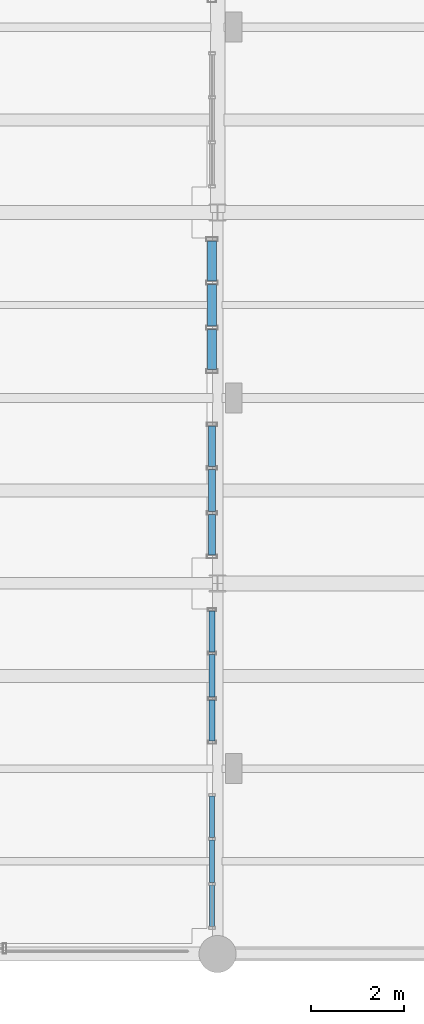
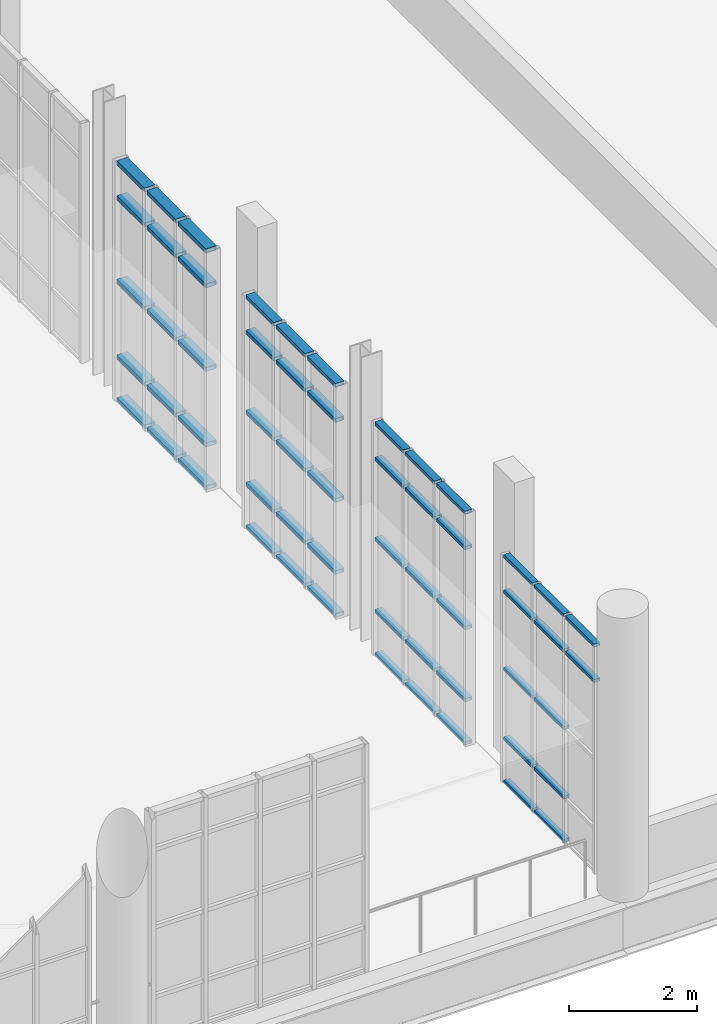
# One storey, part 99 of 142: 57 members, 4 elements without a shape of their own.
"""IFC4 building model written with IfcOpenShell, lengths in metres."""

from ifc_helpers import new_model, si_unit, direction, frame, origin, origin_2d, place, context, subcontext, project, spatial, hollow_rectangle, extrude, material, layer, layer_set, material_profile, profile_set, type_object, element, aggregate, save


model = new_model("IFC4")

# Units and contexts
model_context = context("Model", 3, precision=1e-05, world=origin(), true_north=direction((0.0, 1.0)))
body_context = subcontext(model_context, "Body", "Model", "MODEL_VIEW")
ifc_project = project(units=[si_unit("LENGTHUNIT", "METRE"), si_unit("AREAUNIT", "SQUARE_METRE"), si_unit("VOLUMEUNIT", "CUBIC_METRE"), si_unit("PLANEANGLEUNIT", "RADIAN"), si_unit("MASSUNIT", "GRAM", prefix="KILO"), si_unit("THERMODYNAMICTEMPERATUREUNIT", "KELVIN"), si_unit("POWERUNIT", "WATT")], contexts=[model_context])

# Site, building, storey
site_placement = place(None, origin())
site = spatial("IfcSite", under=ifc_project, at=site_placement, CompositionType="ELEMENT")
building_placement = place(site_placement, origin())
building = spatial("IfcBuilding", under=site, at=building_placement, Name="Zelmaris Science Centre", CompositionType="ELEMENT")
storey_placement = place(building_placement, frame((0.0, 0.0, 5.39990234375)))
storey = spatial("IfcBuildingStorey", under=building, at=storey_placement, Name="L01", CompositionType="ELEMENT", Elevation=5.39990234375)

# Curtain wall, members
ifc_material = material(Name="Anodised architectural aluminium 6063-T6", Category="aluminium")
ifc_layer_1 = layer(ifc_material, 0.219970703125, Name="Anodised architectural aluminium 6063-T6")
ifc_layer_set_1 = layer_set([ifc_layer_1], Name="Anodised architectural aluminium 6063-T6")
curtain_wall_type_1 = type_object("IfcCurtainWallType", Name="Curtain Wall CW-04", PredefinedType="USERDEFINED", material=ifc_layer_set_1)
curtain_wall_1_placement = place(storey_placement, origin())
curtain_wall_1 = element("IfcCurtainWall", 1, at=curtain_wall_1_placement, inside=storey, type_object=curtain_wall_type_1, Name="L01 Unitised curtain wall 160", ObjectType="GLAZED CURTAIN WALL", PredefinedType="USERDEFINED")
ifc_material_profile_1 = material_profile(ifc_material, hollow_rectangle(XDim=0.06005859375, YDim=0.110107421875, WallThickness=0.0029296875, at=origin_2d()), Name="ALU-TRN-60X110")
ifc_profile_set_1 = profile_set([ifc_material_profile_1], Name="Anodised architectural aluminium 6063-T6")
member_type_1 = type_object("IfcMemberType", Name="ALU-TRN-60X110", PredefinedType="USERDEFINED", material=ifc_profile_set_1)
member_1_placement = place(storey_placement, frame((143.8798828125, 11.407958984375, 0.010986328125), z_axis=(0.0, -1.0, 0.0), x_axis=(0.0, 0.0, 1.0)))
member_1 = element("IfcMember", 2, at=member_1_placement, type_object=member_type_1, Name="CW-04 transom 1.1", ObjectType="TRANSOM", PredefinedType="USERDEFINED", context=body_context, shape_type="SweptSolid", body=[
    extrude(hollow_rectangle(XDim=0.06005859375, YDim=0.110107421875, WallThickness=0.0029296875, at=origin_2d()), origin(), (0.0, 0.0, 1.0), 0.895263671875),
])
member_2_placement = place(storey_placement, frame((143.8798828125, 11.407958984375, 0.835205078125), z_axis=(0.0, -1.0, 0.0), x_axis=(0.0, 0.0, 1.0)))
member_2 = element("IfcMember", 3, at=member_2_placement, type_object=member_type_1, Name="CW-04 transom 1.2", ObjectType="TRANSOM", PredefinedType="USERDEFINED", context=body_context, shape_type="SweptSolid", body=[
    extrude(hollow_rectangle(XDim=0.06005859375, YDim=0.110107421875, WallThickness=0.0029296875, at=origin_2d()), origin(), (0.0, 0.0, 1.0), 0.895263671875),
])
member_3_placement = place(storey_placement, frame((143.8798828125, 11.407958984375, 2.155029296875), z_axis=(0.0, -1.0, 0.0), x_axis=(0.0, 0.0, 1.0)))
member_3 = element("IfcMember", 4, at=member_3_placement, type_object=member_type_1, Name="CW-04 transom 1.3", ObjectType="TRANSOM", PredefinedType="USERDEFINED", context=body_context, shape_type="SweptSolid", body=[
    extrude(hollow_rectangle(XDim=0.06005859375, YDim=0.110107421875, WallThickness=0.0029296875, at=origin_2d()), origin(), (0.0, 0.0, 1.0), 0.895263671875),
])
member_4_placement = place(storey_placement, frame((143.8798828125, 11.407958984375, 3.625), z_axis=(0.0, -1.0, 0.0), x_axis=(0.0, 0.0, 1.0)))
member_4 = element("IfcMember", 5, at=member_4_placement, type_object=member_type_1, Name="CW-04 transom 1.4", ObjectType="TRANSOM", PredefinedType="USERDEFINED", context=body_context, shape_type="SweptSolid", body=[
    extrude(hollow_rectangle(XDim=0.06005859375, YDim=0.110107421875, WallThickness=0.0029296875, at=origin_2d()), origin(), (0.0, 0.0, 1.0), 0.895263671875),
])
member_5_placement = place(storey_placement, frame((143.8798828125, 11.407958984375, 4.299072265625), z_axis=(0.0, -1.0, 0.0), x_axis=(0.0, 0.0, 1.0)))
member_5 = element("IfcMember", 6, at=member_5_placement, type_object=member_type_1, Name="CW-04 transom 1.5", ObjectType="TRANSOM", PredefinedType="USERDEFINED", context=body_context, shape_type="SweptSolid", body=[
    extrude(hollow_rectangle(XDim=0.06005859375, YDim=0.110107421875, WallThickness=0.0029296875, at=origin_2d()), origin(), (0.0, 0.0, 1.0), 0.895263671875),
])
member_6_placement = place(storey_placement, frame((143.8798828125, 10.460693359375, 0.010986328125), z_axis=(0.0, -1.0, 0.0), x_axis=(0.0, 0.0, 1.0)))
member_6 = element("IfcMember", 7, at=member_6_placement, type_object=member_type_1, Name="CW-04 transom 2.1", ObjectType="TRANSOM", PredefinedType="USERDEFINED", context=body_context, shape_type="SweptSolid", body=[
    extrude(hollow_rectangle(XDim=0.06005859375, YDim=0.110107421875, WallThickness=0.0029296875, at=origin_2d()), origin(), (0.0, 0.0, 1.0), 0.92138671875),
])
member_7_placement = place(storey_placement, frame((143.8798828125, 10.460693359375, 0.835205078125), z_axis=(0.0, -1.0, 0.0), x_axis=(0.0, 0.0, 1.0)))
member_7 = element("IfcMember", 8, at=member_7_placement, type_object=member_type_1, Name="CW-04 transom 2.2", ObjectType="TRANSOM", PredefinedType="USERDEFINED", context=body_context, shape_type="SweptSolid", body=[
    extrude(hollow_rectangle(XDim=0.06005859375, YDim=0.110107421875, WallThickness=0.0029296875, at=origin_2d()), origin(), (0.0, 0.0, 1.0), 0.92138671875),
])
member_8_placement = place(storey_placement, frame((143.8798828125, 10.460693359375, 2.155029296875), z_axis=(0.0, -1.0, 0.0), x_axis=(0.0, 0.0, 1.0)))
member_8 = element("IfcMember", 9, at=member_8_placement, type_object=member_type_1, Name="CW-04 transom 2.3", ObjectType="TRANSOM", PredefinedType="USERDEFINED", context=body_context, shape_type="SweptSolid", body=[
    extrude(hollow_rectangle(XDim=0.06005859375, YDim=0.110107421875, WallThickness=0.0029296875, at=origin_2d()), origin(), (0.0, 0.0, 1.0), 0.92138671875),
])
member_9_placement = place(storey_placement, frame((143.8798828125, 10.460693359375, 3.625), z_axis=(0.0, -1.0, 0.0), x_axis=(0.0, 0.0, 1.0)))
member_9 = element("IfcMember", 10, at=member_9_placement, type_object=member_type_1, Name="CW-04 transom 2.4", ObjectType="TRANSOM", PredefinedType="USERDEFINED", context=body_context, shape_type="SweptSolid", body=[
    extrude(hollow_rectangle(XDim=0.06005859375, YDim=0.110107421875, WallThickness=0.0029296875, at=origin_2d()), origin(), (0.0, 0.0, 1.0), 0.92138671875),
])
member_10_placement = place(storey_placement, frame((143.8798828125, 10.460693359375, 4.299072265625), z_axis=(0.0, -1.0, 0.0), x_axis=(0.0, 0.0, 1.0)))
member_10 = element("IfcMember", 11, at=member_10_placement, type_object=member_type_1, Name="CW-04 transom 2.5", ObjectType="TRANSOM", PredefinedType="USERDEFINED", context=body_context, shape_type="SweptSolid", body=[
    extrude(hollow_rectangle(XDim=0.06005859375, YDim=0.110107421875, WallThickness=0.0029296875, at=origin_2d()), origin(), (0.0, 0.0, 1.0), 0.92138671875),
])
member_11_placement = place(storey_placement, frame((143.8798828125, 9.4873046875, 3.625), z_axis=(0.0, -1.0, 0.0), x_axis=(0.0, 0.0, 1.0)))
member_11 = element("IfcMember", 12, at=member_11_placement, type_object=member_type_1, Name="CW-04 transom 3.4", ObjectType="TRANSOM", PredefinedType="USERDEFINED", context=body_context, shape_type="SweptSolid", body=[
    extrude(hollow_rectangle(XDim=0.06005859375, YDim=0.110107421875, WallThickness=0.0029296875, at=origin_2d()), origin(), (0.0, 0.0, 1.0), 0.895263671875),
])
member_12_placement = place(storey_placement, frame((143.8798828125, 9.4873046875, 4.299072265625), z_axis=(0.0, -1.0, 0.0), x_axis=(0.0, 0.0, 1.0)))
member_12 = element("IfcMember", 13, at=member_12_placement, type_object=member_type_1, Name="CW-04 transom 3.5", ObjectType="TRANSOM", PredefinedType="USERDEFINED", context=body_context, shape_type="SweptSolid", body=[
    extrude(hollow_rectangle(XDim=0.06005859375, YDim=0.110107421875, WallThickness=0.0029296875, at=origin_2d()), origin(), (0.0, 0.0, 1.0), 0.895263671875),
])
aggregate(curtain_wall_1, [member_1, member_2, member_3, member_4, member_5, member_6, member_7, member_8, member_9, member_10, member_11, member_12])

ifc_layer_2 = layer(ifc_material, 0.2099609375, Name="Anodised architectural aluminium 6063-T6")
ifc_layer_set_2 = layer_set([ifc_layer_2], Name="Anodised architectural aluminium 6063-T6")
curtain_wall_type_2 = type_object("IfcCurtainWallType", Name="Curtain Wall CW-03", PredefinedType="USERDEFINED", material=ifc_layer_set_2)
curtain_wall_2_placement = place(storey_placement, origin())
curtain_wall_2 = element("IfcCurtainWall", 14, at=curtain_wall_2_placement, inside=storey, type_object=curtain_wall_type_2, Name="L01 Unitised curtain wall 159", ObjectType="GLAZED CURTAIN WALL", PredefinedType="USERDEFINED")
ifc_material_profile_2 = material_profile(ifc_material, hollow_rectangle(XDim=0.06494140625, YDim=0.1298828125, WallThickness=0.00341796875, at=origin_2d()), Name="ALU-TRN-65X130")
ifc_profile_set_2 = profile_set([ifc_material_profile_2], Name="Anodised architectural aluminium 6063-T6")
member_type_2 = type_object("IfcMemberType", Name="ALU-TRN-65X130", PredefinedType="USERDEFINED", material=ifc_profile_set_2)
member_13_placement = place(storey_placement, frame((143.8798828125, 15.403076171875, 0.013671875), z_axis=(0.0, -1.0, 0.0), x_axis=(0.0, 0.0, 1.0)))
member_13 = element("IfcMember", 15, at=member_13_placement, type_object=member_type_2, Name="CW-03 transom 1.1", ObjectType="TRANSOM", PredefinedType="USERDEFINED", context=body_context, shape_type="SweptSolid", body=[
    extrude(hollow_rectangle(XDim=0.06494140625, YDim=0.1298828125, WallThickness=0.00341796875, at=origin_2d()), origin(), (0.0, 0.0, 1.0), 0.887939453125),
])
member_14_placement = place(storey_placement, frame((143.8798828125, 15.403076171875, 0.835205078125), z_axis=(0.0, -1.0, 0.0), x_axis=(0.0, 0.0, 1.0)))
member_14 = element("IfcMember", 16, at=member_14_placement, type_object=member_type_2, Name="CW-03 transom 1.2", ObjectType="TRANSOM", PredefinedType="USERDEFINED", context=body_context, shape_type="SweptSolid", body=[
    extrude(hollow_rectangle(XDim=0.06494140625, YDim=0.1298828125, WallThickness=0.00341796875, at=origin_2d()), origin(), (0.0, 0.0, 1.0), 0.887939453125),
])
member_15_placement = place(storey_placement, frame((143.8798828125, 15.403076171875, 2.2060546875), z_axis=(0.0, -1.0, 0.0), x_axis=(0.0, 0.0, 1.0)))
member_15 = element("IfcMember", 17, at=member_15_placement, type_object=member_type_2, Name="CW-03 transom 1.3", ObjectType="TRANSOM", PredefinedType="USERDEFINED", context=body_context, shape_type="SweptSolid", body=[
    extrude(hollow_rectangle(XDim=0.06494140625, YDim=0.1298828125, WallThickness=0.00341796875, at=origin_2d()), origin(), (0.0, 0.0, 1.0), 0.887939453125),
])
member_16_placement = place(storey_placement, frame((143.8798828125, 15.403076171875, 3.72705078125), z_axis=(0.0, -1.0, 0.0), x_axis=(0.0, 0.0, 1.0)))
member_16 = element("IfcMember", 18, at=member_16_placement, type_object=member_type_2, Name="CW-03 transom 1.4", ObjectType="TRANSOM", PredefinedType="USERDEFINED", context=body_context, shape_type="SweptSolid", body=[
    extrude(hollow_rectangle(XDim=0.06494140625, YDim=0.1298828125, WallThickness=0.00341796875, at=origin_2d()), origin(), (0.0, 0.0, 1.0), 0.887939453125),
])
member_17_placement = place(storey_placement, frame((143.8798828125, 15.403076171875, 4.398681640625), z_axis=(0.0, -1.0, 0.0), x_axis=(0.0, 0.0, 1.0)))
member_17 = element("IfcMember", 19, at=member_17_placement, type_object=member_type_2, Name="CW-03 transom 1.5", ObjectType="TRANSOM", PredefinedType="USERDEFINED", context=body_context, shape_type="SweptSolid", body=[
    extrude(hollow_rectangle(XDim=0.06494140625, YDim=0.1298828125, WallThickness=0.00341796875, at=origin_2d()), origin(), (0.0, 0.0, 1.0), 0.887939453125),
])
member_18_placement = place(storey_placement, frame((143.8798828125, 14.458251953125, 0.013671875), z_axis=(0.0, -1.0, 0.0), x_axis=(0.0, 0.0, 1.0)))
member_18 = element("IfcMember", 20, at=member_18_placement, type_object=member_type_2, Name="CW-03 transom 2.1", ObjectType="TRANSOM", PredefinedType="USERDEFINED", context=body_context, shape_type="SweptSolid", body=[
    extrude(hollow_rectangle(XDim=0.06494140625, YDim=0.1298828125, WallThickness=0.00341796875, at=origin_2d()), origin(), (0.0, 0.0, 1.0), 0.91650390625),
])
member_19_placement = place(storey_placement, frame((143.8798828125, 14.458251953125, 0.835205078125), z_axis=(0.0, -1.0, 0.0), x_axis=(0.0, 0.0, 1.0)))
member_19 = element("IfcMember", 21, at=member_19_placement, type_object=member_type_2, Name="CW-03 transom 2.2", ObjectType="TRANSOM", PredefinedType="USERDEFINED", context=body_context, shape_type="SweptSolid", body=[
    extrude(hollow_rectangle(XDim=0.06494140625, YDim=0.1298828125, WallThickness=0.00341796875, at=origin_2d()), origin(), (0.0, 0.0, 1.0), 0.91650390625),
])
member_20_placement = place(storey_placement, frame((143.8798828125, 14.458251953125, 2.2060546875), z_axis=(0.0, -1.0, 0.0), x_axis=(0.0, 0.0, 1.0)))
member_20 = element("IfcMember", 22, at=member_20_placement, type_object=member_type_2, Name="CW-03 transom 2.3", ObjectType="TRANSOM", PredefinedType="USERDEFINED", context=body_context, shape_type="SweptSolid", body=[
    extrude(hollow_rectangle(XDim=0.06494140625, YDim=0.1298828125, WallThickness=0.00341796875, at=origin_2d()), origin(), (0.0, 0.0, 1.0), 0.91650390625),
])
member_21_placement = place(storey_placement, frame((143.8798828125, 14.458251953125, 3.72705078125), z_axis=(0.0, -1.0, 0.0), x_axis=(0.0, 0.0, 1.0)))
member_21 = element("IfcMember", 23, at=member_21_placement, type_object=member_type_2, Name="CW-03 transom 2.4", ObjectType="TRANSOM", PredefinedType="USERDEFINED", context=body_context, shape_type="SweptSolid", body=[
    extrude(hollow_rectangle(XDim=0.06494140625, YDim=0.1298828125, WallThickness=0.00341796875, at=origin_2d()), origin(), (0.0, 0.0, 1.0), 0.91650390625),
])
member_22_placement = place(storey_placement, frame((143.8798828125, 14.458251953125, 4.398681640625), z_axis=(0.0, -1.0, 0.0), x_axis=(0.0, 0.0, 1.0)))
member_22 = element("IfcMember", 24, at=member_22_placement, type_object=member_type_2, Name="CW-03 transom 2.5", ObjectType="TRANSOM", PredefinedType="USERDEFINED", context=body_context, shape_type="SweptSolid", body=[
    extrude(hollow_rectangle(XDim=0.06494140625, YDim=0.1298828125, WallThickness=0.00341796875, at=origin_2d()), origin(), (0.0, 0.0, 1.0), 0.91650390625),
])
member_23_placement = place(storey_placement, frame((143.8798828125, 13.48486328125, 0.013671875), z_axis=(0.0, -1.0, 0.0), x_axis=(0.0, 0.0, 1.0)))
member_23 = element("IfcMember", 25, at=member_23_placement, type_object=member_type_2, Name="CW-03 transom 3.1", ObjectType="TRANSOM", PredefinedType="USERDEFINED", context=body_context, shape_type="SweptSolid", body=[
    extrude(hollow_rectangle(XDim=0.06494140625, YDim=0.1298828125, WallThickness=0.00341796875, at=origin_2d()), origin(), (0.0, 0.0, 1.0), 0.887939453125),
])
member_24_placement = place(storey_placement, frame((143.8798828125, 13.48486328125, 0.835205078125), z_axis=(0.0, -1.0, 0.0), x_axis=(0.0, 0.0, 1.0)))
member_24 = element("IfcMember", 26, at=member_24_placement, type_object=member_type_2, Name="CW-03 transom 3.2", ObjectType="TRANSOM", PredefinedType="USERDEFINED", context=body_context, shape_type="SweptSolid", body=[
    extrude(hollow_rectangle(XDim=0.06494140625, YDim=0.1298828125, WallThickness=0.00341796875, at=origin_2d()), origin(), (0.0, 0.0, 1.0), 0.887939453125),
])
member_25_placement = place(storey_placement, frame((143.8798828125, 13.48486328125, 2.2060546875), z_axis=(0.0, -1.0, 0.0), x_axis=(0.0, 0.0, 1.0)))
member_25 = element("IfcMember", 27, at=member_25_placement, type_object=member_type_2, Name="CW-03 transom 3.3", ObjectType="TRANSOM", PredefinedType="USERDEFINED", context=body_context, shape_type="SweptSolid", body=[
    extrude(hollow_rectangle(XDim=0.06494140625, YDim=0.1298828125, WallThickness=0.00341796875, at=origin_2d()), origin(), (0.0, 0.0, 1.0), 0.887939453125),
])
member_26_placement = place(storey_placement, frame((143.8798828125, 13.48486328125, 3.72705078125), z_axis=(0.0, -1.0, 0.0), x_axis=(0.0, 0.0, 1.0)))
member_26 = element("IfcMember", 28, at=member_26_placement, type_object=member_type_2, Name="CW-03 transom 3.4", ObjectType="TRANSOM", PredefinedType="USERDEFINED", context=body_context, shape_type="SweptSolid", body=[
    extrude(hollow_rectangle(XDim=0.06494140625, YDim=0.1298828125, WallThickness=0.00341796875, at=origin_2d()), origin(), (0.0, 0.0, 1.0), 0.887939453125),
])
member_27_placement = place(storey_placement, frame((143.8798828125, 13.48486328125, 4.398681640625), z_axis=(0.0, -1.0, 0.0), x_axis=(0.0, 0.0, 1.0)))
member_27 = element("IfcMember", 29, at=member_27_placement, type_object=member_type_2, Name="CW-03 transom 3.5", ObjectType="TRANSOM", PredefinedType="USERDEFINED", context=body_context, shape_type="SweptSolid", body=[
    extrude(hollow_rectangle(XDim=0.06494140625, YDim=0.1298828125, WallThickness=0.00341796875, at=origin_2d()), origin(), (0.0, 0.0, 1.0), 0.887939453125),
])
aggregate(curtain_wall_2, [member_13, member_14, member_15, member_16, member_17, member_18, member_19, member_20, member_21, member_22, member_23, member_24, member_25, member_26, member_27])

ifc_layer_3 = layer(ifc_material, 0.199951171875, Name="Anodised architectural aluminium 6063-T6")
ifc_layer_set_3 = layer_set([ifc_layer_3], Name="Anodised architectural aluminium 6063-T6")
curtain_wall_type_3 = type_object("IfcCurtainWallType", Name="Curtain Wall CW-02", PredefinedType="USERDEFINED", material=ifc_layer_set_3)
curtain_wall_3_placement = place(storey_placement, origin())
curtain_wall_3 = element("IfcCurtainWall", 30, at=curtain_wall_3_placement, inside=storey, type_object=curtain_wall_type_3, Name="L01 Unitised curtain wall 158", ObjectType="GLAZED CURTAIN WALL", PredefinedType="USERDEFINED")
ifc_material_profile_3 = material_profile(ifc_material, hollow_rectangle(XDim=0.074951171875, YDim=0.159912109375, WallThickness=0.00390625, at=origin_2d()), Name="ALU-TRN-75X160")
ifc_profile_set_3 = profile_set([ifc_material_profile_3], Name="Anodised architectural aluminium 6063-T6")
member_type_3 = type_object("IfcMemberType", Name="ALU-TRN-75X160", PredefinedType="USERDEFINED", material=ifc_profile_set_3)
member_28_placement = place(storey_placement, frame((143.8798828125, 19.39306640625, 0.0185546875), z_axis=(0.0, -1.0, 0.0), x_axis=(0.0, 0.0, 1.0)))
member_28 = element("IfcMember", 31, at=member_28_placement, type_object=member_type_3, Name="CW-02 transom 1.1", ObjectType="TRANSOM", PredefinedType="USERDEFINED", context=body_context, shape_type="SweptSolid", body=[
    extrude(hollow_rectangle(XDim=0.074951171875, YDim=0.159912109375, WallThickness=0.00390625, at=origin_2d()), origin(), (0.0, 0.0, 1.0), 0.872802734375),
])
member_29_placement = place(storey_placement, frame((143.8798828125, 19.39306640625, 0.835205078125), z_axis=(0.0, -1.0, 0.0), x_axis=(0.0, 0.0, 1.0)))
member_29 = element("IfcMember", 32, at=member_29_placement, type_object=member_type_3, Name="CW-02 transom 1.2", ObjectType="TRANSOM", PredefinedType="USERDEFINED", context=body_context, shape_type="SweptSolid", body=[
    extrude(hollow_rectangle(XDim=0.074951171875, YDim=0.159912109375, WallThickness=0.00390625, at=origin_2d()), origin(), (0.0, 0.0, 1.0), 0.872802734375),
])
member_30_placement = place(storey_placement, frame((143.8798828125, 19.39306640625, 2.2060546875), z_axis=(0.0, -1.0, 0.0), x_axis=(0.0, 0.0, 1.0)))
member_30 = element("IfcMember", 33, at=member_30_placement, type_object=member_type_3, Name="CW-02 transom 1.3", ObjectType="TRANSOM", PredefinedType="USERDEFINED", context=body_context, shape_type="SweptSolid", body=[
    extrude(hollow_rectangle(XDim=0.074951171875, YDim=0.159912109375, WallThickness=0.00390625, at=origin_2d()), origin(), (0.0, 0.0, 1.0), 0.872802734375),
])
member_31_placement = place(storey_placement, frame((143.8798828125, 19.39306640625, 3.72705078125), z_axis=(0.0, -1.0, 0.0), x_axis=(0.0, 0.0, 1.0)))
member_31 = element("IfcMember", 34, at=member_31_placement, type_object=member_type_3, Name="CW-02 transom 1.4", ObjectType="TRANSOM", PredefinedType="USERDEFINED", context=body_context, shape_type="SweptSolid", body=[
    extrude(hollow_rectangle(XDim=0.074951171875, YDim=0.159912109375, WallThickness=0.00390625, at=origin_2d()), origin(), (0.0, 0.0, 1.0), 0.872802734375),
])
member_32_placement = place(storey_placement, frame((143.8798828125, 19.39306640625, 4.3935546875), z_axis=(0.0, -1.0, 0.0), x_axis=(0.0, 0.0, 1.0)))
member_32 = element("IfcMember", 35, at=member_32_placement, type_object=member_type_3, Name="CW-02 transom 1.5", ObjectType="TRANSOM", PredefinedType="USERDEFINED", context=body_context, shape_type="SweptSolid", body=[
    extrude(hollow_rectangle(XDim=0.074951171875, YDim=0.159912109375, WallThickness=0.00390625, at=origin_2d()), origin(), (0.0, 0.0, 1.0), 0.872802734375),
])
member_33_placement = place(storey_placement, frame((143.8798828125, 18.453125, 0.0185546875), z_axis=(0.0, -1.0, 0.0), x_axis=(0.0, 0.0, 1.0)))
member_33 = element("IfcMember", 36, at=member_33_placement, type_object=member_type_3, Name="CW-02 transom 2.1", ObjectType="TRANSOM", PredefinedType="USERDEFINED", context=body_context, shape_type="SweptSolid", body=[
    extrude(hollow_rectangle(XDim=0.074951171875, YDim=0.159912109375, WallThickness=0.00390625, at=origin_2d()), origin(), (0.0, 0.0, 1.0), 0.90625),
])
member_34_placement = place(storey_placement, frame((143.8798828125, 18.453125, 0.835205078125), z_axis=(0.0, -1.0, 0.0), x_axis=(0.0, 0.0, 1.0)))
member_34 = element("IfcMember", 37, at=member_34_placement, type_object=member_type_3, Name="CW-02 transom 2.2", ObjectType="TRANSOM", PredefinedType="USERDEFINED", context=body_context, shape_type="SweptSolid", body=[
    extrude(hollow_rectangle(XDim=0.074951171875, YDim=0.159912109375, WallThickness=0.00390625, at=origin_2d()), origin(), (0.0, 0.0, 1.0), 0.90625),
])
member_35_placement = place(storey_placement, frame((143.8798828125, 18.453125, 2.2060546875), z_axis=(0.0, -1.0, 0.0), x_axis=(0.0, 0.0, 1.0)))
member_35 = element("IfcMember", 38, at=member_35_placement, type_object=member_type_3, Name="CW-02 transom 2.3", ObjectType="TRANSOM", PredefinedType="USERDEFINED", context=body_context, shape_type="SweptSolid", body=[
    extrude(hollow_rectangle(XDim=0.074951171875, YDim=0.159912109375, WallThickness=0.00390625, at=origin_2d()), origin(), (0.0, 0.0, 1.0), 0.90625),
])
member_36_placement = place(storey_placement, frame((143.8798828125, 18.453125, 3.72705078125), z_axis=(0.0, -1.0, 0.0), x_axis=(0.0, 0.0, 1.0)))
member_36 = element("IfcMember", 39, at=member_36_placement, type_object=member_type_3, Name="CW-02 transom 2.4", ObjectType="TRANSOM", PredefinedType="USERDEFINED", context=body_context, shape_type="SweptSolid", body=[
    extrude(hollow_rectangle(XDim=0.074951171875, YDim=0.159912109375, WallThickness=0.00390625, at=origin_2d()), origin(), (0.0, 0.0, 1.0), 0.90625),
])
member_37_placement = place(storey_placement, frame((143.8798828125, 18.453125, 4.3935546875), z_axis=(0.0, -1.0, 0.0), x_axis=(0.0, 0.0, 1.0)))
member_37 = element("IfcMember", 40, at=member_37_placement, type_object=member_type_3, Name="CW-02 transom 2.5", ObjectType="TRANSOM", PredefinedType="USERDEFINED", context=body_context, shape_type="SweptSolid", body=[
    extrude(hollow_rectangle(XDim=0.074951171875, YDim=0.159912109375, WallThickness=0.00390625, at=origin_2d()), origin(), (0.0, 0.0, 1.0), 0.90625),
])
member_38_placement = place(storey_placement, frame((143.8798828125, 17.479736328125, 0.0185546875), z_axis=(0.0, -1.0, 0.0), x_axis=(0.0, 0.0, 1.0)))
member_38 = element("IfcMember", 41, at=member_38_placement, type_object=member_type_3, Name="CW-02 transom 3.1", ObjectType="TRANSOM", PredefinedType="USERDEFINED", context=body_context, shape_type="SweptSolid", body=[
    extrude(hollow_rectangle(XDim=0.074951171875, YDim=0.159912109375, WallThickness=0.00390625, at=origin_2d()), origin(), (0.0, 0.0, 1.0), 0.872802734375),
])
member_39_placement = place(storey_placement, frame((143.8798828125, 17.479736328125, 0.835205078125), z_axis=(0.0, -1.0, 0.0), x_axis=(0.0, 0.0, 1.0)))
member_39 = element("IfcMember", 42, at=member_39_placement, type_object=member_type_3, Name="CW-02 transom 3.2", ObjectType="TRANSOM", PredefinedType="USERDEFINED", context=body_context, shape_type="SweptSolid", body=[
    extrude(hollow_rectangle(XDim=0.074951171875, YDim=0.159912109375, WallThickness=0.00390625, at=origin_2d()), origin(), (0.0, 0.0, 1.0), 0.872802734375),
])
member_40_placement = place(storey_placement, frame((143.8798828125, 17.479736328125, 2.2060546875), z_axis=(0.0, -1.0, 0.0), x_axis=(0.0, 0.0, 1.0)))
member_40 = element("IfcMember", 43, at=member_40_placement, type_object=member_type_3, Name="CW-02 transom 3.3", ObjectType="TRANSOM", PredefinedType="USERDEFINED", context=body_context, shape_type="SweptSolid", body=[
    extrude(hollow_rectangle(XDim=0.074951171875, YDim=0.159912109375, WallThickness=0.00390625, at=origin_2d()), origin(), (0.0, 0.0, 1.0), 0.872802734375),
])
member_41_placement = place(storey_placement, frame((143.8798828125, 17.479736328125, 3.72705078125), z_axis=(0.0, -1.0, 0.0), x_axis=(0.0, 0.0, 1.0)))
member_41 = element("IfcMember", 44, at=member_41_placement, type_object=member_type_3, Name="CW-02 transom 3.4", ObjectType="TRANSOM", PredefinedType="USERDEFINED", context=body_context, shape_type="SweptSolid", body=[
    extrude(hollow_rectangle(XDim=0.074951171875, YDim=0.159912109375, WallThickness=0.00390625, at=origin_2d()), origin(), (0.0, 0.0, 1.0), 0.872802734375),
])
member_42_placement = place(storey_placement, frame((143.8798828125, 17.479736328125, 4.3935546875), z_axis=(0.0, -1.0, 0.0), x_axis=(0.0, 0.0, 1.0)))
member_42 = element("IfcMember", 45, at=member_42_placement, type_object=member_type_3, Name="CW-02 transom 3.5", ObjectType="TRANSOM", PredefinedType="USERDEFINED", context=body_context, shape_type="SweptSolid", body=[
    extrude(hollow_rectangle(XDim=0.074951171875, YDim=0.159912109375, WallThickness=0.00390625, at=origin_2d()), origin(), (0.0, 0.0, 1.0), 0.872802734375),
])
aggregate(curtain_wall_3, [member_28, member_29, member_30, member_31, member_32, member_33, member_34, member_35, member_36, member_37, member_38, member_39, member_40, member_41, member_42])

ifc_layer_4 = layer(ifc_material, 0.18994140625, Name="Anodised architectural aluminium 6063-T6")
ifc_layer_set_4 = layer_set([ifc_layer_4], Name="Anodised architectural aluminium 6063-T6")
curtain_wall_type_4 = type_object("IfcCurtainWallType", Name="Curtain Wall CW-01", PredefinedType="USERDEFINED", material=ifc_layer_set_4)
curtain_wall_4_placement = place(storey_placement, origin())
curtain_wall_4 = element("IfcCurtainWall", 46, at=curtain_wall_4_placement, inside=storey, type_object=curtain_wall_type_4, Name="L01 Unitised curtain wall 157", ObjectType="GLAZED CURTAIN WALL", PredefinedType="USERDEFINED")
ifc_material_profile_4 = material_profile(ifc_material, hollow_rectangle(XDim=0.080078125, YDim=0.18994140625, WallThickness=0.00439453125, at=origin_2d()), Name="ALU-TRN-80X190")
ifc_profile_set_4 = profile_set([ifc_material_profile_4], Name="Anodised architectural aluminium 6063-T6")
member_type_4 = type_object("IfcMemberType", Name="ALU-TRN-80X190", PredefinedType="USERDEFINED", material=ifc_profile_set_4)
member_43_placement = place(storey_placement, frame((143.8798828125, 23.387939453125, 0.02099609375), z_axis=(0.0, -1.0, 0.0), x_axis=(0.0, 0.0, 1.0)))
member_43 = element("IfcMember", 47, at=member_43_placement, type_object=member_type_4, Name="CW-01 transom 1.1", ObjectType="TRANSOM", PredefinedType="USERDEFINED", context=body_context, shape_type="SweptSolid", body=[
    extrude(hollow_rectangle(XDim=0.080078125, YDim=0.18994140625, WallThickness=0.00439453125, at=origin_2d()), origin(), (0.0, 0.0, 1.0), 0.865234375),
])
member_44_placement = place(storey_placement, frame((143.8798828125, 23.387939453125, 0.835205078125), z_axis=(0.0, -1.0, 0.0), x_axis=(0.0, 0.0, 1.0)))
member_44 = element("IfcMember", 48, at=member_44_placement, type_object=member_type_4, Name="CW-01 transom 1.2", ObjectType="TRANSOM", PredefinedType="USERDEFINED", context=body_context, shape_type="SweptSolid", body=[
    extrude(hollow_rectangle(XDim=0.080078125, YDim=0.18994140625, WallThickness=0.00439453125, at=origin_2d()), origin(), (0.0, 0.0, 1.0), 0.865234375),
])
member_45_placement = place(storey_placement, frame((143.8798828125, 23.387939453125, 2.273193359375), z_axis=(0.0, -1.0, 0.0), x_axis=(0.0, 0.0, 1.0)))
member_45 = element("IfcMember", 49, at=member_45_placement, type_object=member_type_4, Name="CW-01 transom 1.3", ObjectType="TRANSOM", PredefinedType="USERDEFINED", context=body_context, shape_type="SweptSolid", body=[
    extrude(hollow_rectangle(XDim=0.080078125, YDim=0.18994140625, WallThickness=0.00439453125, at=origin_2d()), origin(), (0.0, 0.0, 1.0), 0.865234375),
])
member_46_placement = place(storey_placement, frame((143.8798828125, 23.387939453125, 3.861083984375), z_axis=(0.0, -1.0, 0.0), x_axis=(0.0, 0.0, 1.0)))
member_46 = element("IfcMember", 50, at=member_46_placement, type_object=member_type_4, Name="CW-01 transom 1.4", ObjectType="TRANSOM", PredefinedType="USERDEFINED", context=body_context, shape_type="SweptSolid", body=[
    extrude(hollow_rectangle(XDim=0.080078125, YDim=0.18994140625, WallThickness=0.00439453125, at=origin_2d()), origin(), (0.0, 0.0, 1.0), 0.865234375),
])
member_47_placement = place(storey_placement, frame((143.8798828125, 23.387939453125, 4.525146484375), z_axis=(0.0, -1.0, 0.0), x_axis=(0.0, 0.0, 1.0)))
member_47 = element("IfcMember", 51, at=member_47_placement, type_object=member_type_4, Name="CW-01 transom 1.5", ObjectType="TRANSOM", PredefinedType="USERDEFINED", context=body_context, shape_type="SweptSolid", body=[
    extrude(hollow_rectangle(XDim=0.080078125, YDim=0.18994140625, WallThickness=0.00439453125, at=origin_2d()), origin(), (0.0, 0.0, 1.0), 0.865234375),
])
member_48_placement = place(storey_placement, frame((143.8798828125, 22.45068359375, 0.02099609375), z_axis=(0.0, -1.0, 0.0), x_axis=(0.0, 0.0, 1.0)))
member_48 = element("IfcMember", 52, at=member_48_placement, type_object=member_type_4, Name="CW-01 transom 2.1", ObjectType="TRANSOM", PredefinedType="USERDEFINED", context=body_context, shape_type="SweptSolid", body=[
    extrude(hollow_rectangle(XDim=0.080078125, YDim=0.18994140625, WallThickness=0.00439453125, at=origin_2d()), origin(), (0.0, 0.0, 1.0), 0.9013671875),
])
member_49_placement = place(storey_placement, frame((143.8798828125, 22.45068359375, 0.835205078125), z_axis=(0.0, -1.0, 0.0), x_axis=(0.0, 0.0, 1.0)))
member_49 = element("IfcMember", 53, at=member_49_placement, type_object=member_type_4, Name="CW-01 transom 2.2", ObjectType="TRANSOM", PredefinedType="USERDEFINED", context=body_context, shape_type="SweptSolid", body=[
    extrude(hollow_rectangle(XDim=0.080078125, YDim=0.18994140625, WallThickness=0.00439453125, at=origin_2d()), origin(), (0.0, 0.0, 1.0), 0.9013671875),
])
member_50_placement = place(storey_placement, frame((143.8798828125, 22.45068359375, 2.273193359375), z_axis=(0.0, -1.0, 0.0), x_axis=(0.0, 0.0, 1.0)))
member_50 = element("IfcMember", 54, at=member_50_placement, type_object=member_type_4, Name="CW-01 transom 2.3", ObjectType="TRANSOM", PredefinedType="USERDEFINED", context=body_context, shape_type="SweptSolid", body=[
    extrude(hollow_rectangle(XDim=0.080078125, YDim=0.18994140625, WallThickness=0.00439453125, at=origin_2d()), origin(), (0.0, 0.0, 1.0), 0.9013671875),
])
member_51_placement = place(storey_placement, frame((143.8798828125, 22.45068359375, 3.861083984375), z_axis=(0.0, -1.0, 0.0), x_axis=(0.0, 0.0, 1.0)))
member_51 = element("IfcMember", 55, at=member_51_placement, type_object=member_type_4, Name="CW-01 transom 2.4", ObjectType="TRANSOM", PredefinedType="USERDEFINED", context=body_context, shape_type="SweptSolid", body=[
    extrude(hollow_rectangle(XDim=0.080078125, YDim=0.18994140625, WallThickness=0.00439453125, at=origin_2d()), origin(), (0.0, 0.0, 1.0), 0.9013671875),
])
member_52_placement = place(storey_placement, frame((143.8798828125, 22.45068359375, 4.525146484375), z_axis=(0.0, -1.0, 0.0), x_axis=(0.0, 0.0, 1.0)))
member_52 = element("IfcMember", 56, at=member_52_placement, type_object=member_type_4, Name="CW-01 transom 2.5", ObjectType="TRANSOM", PredefinedType="USERDEFINED", context=body_context, shape_type="SweptSolid", body=[
    extrude(hollow_rectangle(XDim=0.080078125, YDim=0.18994140625, WallThickness=0.00439453125, at=origin_2d()), origin(), (0.0, 0.0, 1.0), 0.9013671875),
])
member_53_placement = place(storey_placement, frame((143.8798828125, 21.477294921875, 0.02099609375), z_axis=(0.0, -1.0, 0.0), x_axis=(0.0, 0.0, 1.0)))
member_53 = element("IfcMember", 57, at=member_53_placement, type_object=member_type_4, Name="CW-01 transom 3.1", ObjectType="TRANSOM", PredefinedType="USERDEFINED", context=body_context, shape_type="SweptSolid", body=[
    extrude(hollow_rectangle(XDim=0.080078125, YDim=0.18994140625, WallThickness=0.00439453125, at=origin_2d()), origin(), (0.0, 0.0, 1.0), 0.865234375),
])
member_54_placement = place(storey_placement, frame((143.8798828125, 21.477294921875, 0.835205078125), z_axis=(0.0, -1.0, 0.0), x_axis=(0.0, 0.0, 1.0)))
member_54 = element("IfcMember", 58, at=member_54_placement, type_object=member_type_4, Name="CW-01 transom 3.2", ObjectType="TRANSOM", PredefinedType="USERDEFINED", context=body_context, shape_type="SweptSolid", body=[
    extrude(hollow_rectangle(XDim=0.080078125, YDim=0.18994140625, WallThickness=0.00439453125, at=origin_2d()), origin(), (0.0, 0.0, 1.0), 0.865234375),
])
member_55_placement = place(storey_placement, frame((143.8798828125, 21.477294921875, 2.273193359375), z_axis=(0.0, -1.0, 0.0), x_axis=(0.0, 0.0, 1.0)))
member_55 = element("IfcMember", 59, at=member_55_placement, type_object=member_type_4, Name="CW-01 transom 3.3", ObjectType="TRANSOM", PredefinedType="USERDEFINED", context=body_context, shape_type="SweptSolid", body=[
    extrude(hollow_rectangle(XDim=0.080078125, YDim=0.18994140625, WallThickness=0.00439453125, at=origin_2d()), origin(), (0.0, 0.0, 1.0), 0.865234375),
])
member_56_placement = place(storey_placement, frame((143.8798828125, 21.477294921875, 3.861083984375), z_axis=(0.0, -1.0, 0.0), x_axis=(0.0, 0.0, 1.0)))
member_56 = element("IfcMember", 60, at=member_56_placement, type_object=member_type_4, Name="CW-01 transom 3.4", ObjectType="TRANSOM", PredefinedType="USERDEFINED", context=body_context, shape_type="SweptSolid", body=[
    extrude(hollow_rectangle(XDim=0.080078125, YDim=0.18994140625, WallThickness=0.00439453125, at=origin_2d()), origin(), (0.0, 0.0, 1.0), 0.865234375),
])
member_57_placement = place(storey_placement, frame((143.8798828125, 21.477294921875, 4.525146484375), z_axis=(0.0, -1.0, 0.0), x_axis=(0.0, 0.0, 1.0)))
member_57 = element("IfcMember", 61, at=member_57_placement, type_object=member_type_4, Name="CW-01 transom 3.5", ObjectType="TRANSOM", PredefinedType="USERDEFINED", context=body_context, shape_type="SweptSolid", body=[
    extrude(hollow_rectangle(XDim=0.080078125, YDim=0.18994140625, WallThickness=0.00439453125, at=origin_2d()), origin(), (0.0, 0.0, 1.0), 0.865234375),
])
aggregate(curtain_wall_4, [member_43, member_44, member_45, member_46, member_47, member_48, member_49, member_50, member_51, member_52, member_53, member_54, member_55, member_56, member_57])

save(model, "model.ifc")
